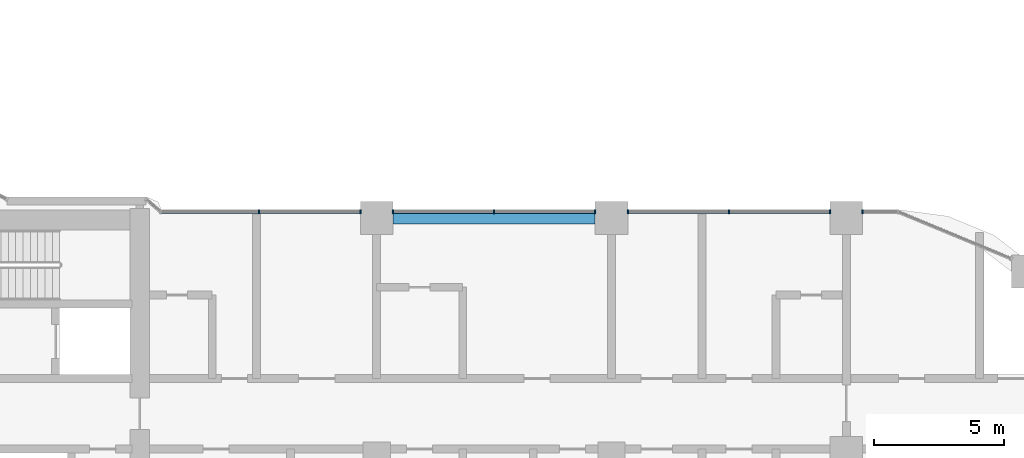
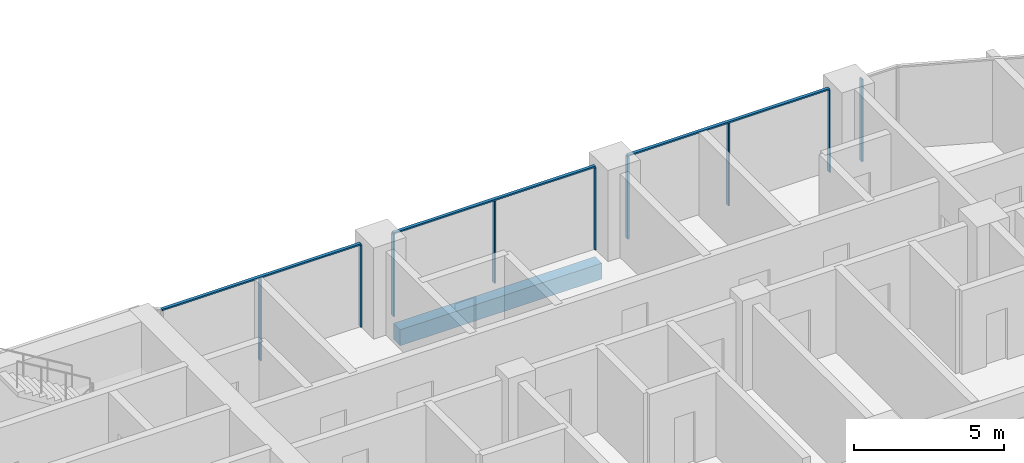
# One storey, part 4 of 33: 12 members, 1 beam, 4 elements without a shape of their own.
"""IFC4 building model written with IfcOpenShell, lengths in metres."""

from ifc_helpers import new_model, si_unit, direction, frame, origin, origin_2d, place, context, subcontext, project, spatial, rectangle, extrude, material, material_profile, profile_set, type_object, element, aggregate, save


model = new_model("IFC4")

# Units and contexts
model_context = context("Model", 3, precision=1e-05, world=origin(), true_north=direction((0.0, 1.0)))
body_context = subcontext(model_context, "Body", "Model", "MODEL_VIEW")
ifc_project = project(units=[si_unit("LENGTHUNIT", "METRE"), si_unit("AREAUNIT", "SQUARE_METRE"), si_unit("VOLUMEUNIT", "CUBIC_METRE"), si_unit("PLANEANGLEUNIT", "RADIAN"), si_unit("MASSUNIT", "GRAM", prefix="KILO")], contexts=[model_context])

# Site, building, storey
site_placement = place(None, origin())
site = spatial("IfcSite", under=ifc_project, at=site_placement, CompositionType="ELEMENT")
building_placement = place(site_placement, origin())
building = spatial("IfcBuilding", under=site, at=building_placement, Name="Ogive Portal Towers", CompositionType="ELEMENT")
storey_placement = place(building_placement, frame((0.0, 0.0, 101.89990234375)))
storey = spatial("IfcBuildingStorey", under=building, at=storey_placement, Name="L24", CompositionType="ELEMENT", Elevation=101.89990234375)

# Curtain wall, member
ifc_material_1 = material(Name="Glass, clear low-iron insulated glazing", Category="glass")
curtain_wall_type = type_object("IfcCurtainWallType", Name="CW FRONT RIBBON 4500", PredefinedType="NOTDEFINED", material=ifc_material_1)
curtain_wall_1_placement = place(storey_placement, origin())
curtain_wall_1 = element("IfcCurtainWall", 1, at=curtain_wall_1_placement, inside=storey, type_object=curtain_wall_type, Name="A:L24:f26:cw0~0", PredefinedType="NOTDEFINED")
ifc_material_2 = material(Name="Aluminium 6063 anodised", Category="aluminium")
ifc_material_profile_1 = material_profile(ifc_material_2, rectangle(XDim=0.159912109375, YDim=0.06005859375, at=origin_2d()), Name="AL 60x160")
ifc_profile_set_1 = profile_set([ifc_material_profile_1], Name="Aluminium 6063 anodised")
member_type_1 = type_object("IfcMemberType", Name="CW MULLION 60x160", PredefinedType="MULLION", material=ifc_profile_set_1)
member_1_placement = place(storey_placement, frame((86.125, 39.739990234375, 0.0), z_axis=(0.0, 0.0, 1.0), x_axis=(0.0, -1.0, 0.0)))
member_1 = element("IfcMember", 2, at=member_1_placement, type_object=member_type_1, Name="mullion", PredefinedType="MULLION", context=body_context, shape_type="SweptSolid", body=[
    extrude(rectangle(XDim=0.159912109375, YDim=0.06005859375, at=origin_2d()), origin(), (0.0, 0.0, 1.0), 3.340087890625),
])
aggregate(curtain_wall_1, [member_1])

# Curtain wall, members
curtain_wall_2_placement = place(storey_placement, origin())
curtain_wall_2 = element("IfcCurtainWall", 3, at=curtain_wall_2_placement, inside=storey, type_object=curtain_wall_type, Name="A:L24:f26:cw0~1", PredefinedType="NOTDEFINED")
member_2_placement = place(storey_placement, frame((84.875, 39.739990234375, 0.0), z_axis=(0.0, 0.0, 1.0), x_axis=(0.0, -1.0, 0.0)))
member_2 = element("IfcMember", 4, at=member_2_placement, type_object=member_type_1, Name="mullion", PredefinedType="MULLION", context=body_context, shape_type="SweptSolid", body=[
    extrude(rectangle(XDim=0.159912109375, YDim=0.06005859375, at=origin_2d()), origin(), (0.0, 0.0, 1.0), 3.340087890625),
])
member_3_placement = place(storey_placement, frame((81.0, 39.739990234375, 0.0), z_axis=(0.0, 0.0, 1.0), x_axis=(0.0, -1.0, 0.0)))
member_3 = element("IfcMember", 5, at=member_3_placement, type_object=member_type_1, Name="mullion", PredefinedType="MULLION", context=body_context, shape_type="SweptSolid", body=[
    extrude(rectangle(XDim=0.159912109375, YDim=0.06005859375, at=origin_2d()), origin(), (0.0, 0.0, 1.0), 3.340087890625),
])
member_4_placement = place(storey_placement, frame((77.125, 39.739990234375, 0.0), z_axis=(0.0, 0.0, 1.0), x_axis=(0.0, -1.0, 0.0)))
member_4 = element("IfcMember", 6, at=member_4_placement, type_object=member_type_1, Name="mullion", PredefinedType="MULLION", context=body_context, shape_type="SweptSolid", body=[
    extrude(rectangle(XDim=0.159912109375, YDim=0.06005859375, at=origin_2d()), origin(), (0.0, 0.0, 1.0), 3.340087890625),
])

curtain_wall_3_placement = place(storey_placement, origin())
curtain_wall_3 = element("IfcCurtainWall", 7, at=curtain_wall_3_placement, inside=storey, type_object=curtain_wall_type, Name="A:L24:f26:cw0~2", PredefinedType="NOTDEFINED")
member_5_placement = place(storey_placement, frame((75.875, 39.739990234375, 0.0), z_axis=(0.0, 0.0, 1.0), x_axis=(0.0, -1.0, 0.0)))
member_5 = element("IfcMember", 8, at=member_5_placement, type_object=member_type_1, Name="mullion", PredefinedType="MULLION", context=body_context, shape_type="SweptSolid", body=[
    extrude(rectangle(XDim=0.159912109375, YDim=0.06005859375, at=origin_2d()), origin(), (0.0, 0.0, 1.0), 3.340087890625),
])
member_6_placement = place(storey_placement, frame((72.0, 39.739990234375, 0.0), z_axis=(0.0, 0.0, 1.0), x_axis=(0.0, -1.0, 0.0)))
member_6 = element("IfcMember", 9, at=member_6_placement, type_object=member_type_1, Name="mullion", PredefinedType="MULLION", context=body_context, shape_type="SweptSolid", body=[
    extrude(rectangle(XDim=0.159912109375, YDim=0.06005859375, at=origin_2d()), origin(), (0.0, 0.0, 1.0), 3.340087890625),
])
member_7_placement = place(storey_placement, frame((68.125, 39.739990234375, 0.0), z_axis=(0.0, 0.0, 1.0), x_axis=(0.0, -1.0, 0.0)))
member_7 = element("IfcMember", 10, at=member_7_placement, type_object=member_type_1, Name="mullion", PredefinedType="MULLION", context=body_context, shape_type="SweptSolid", body=[
    extrude(rectangle(XDim=0.159912109375, YDim=0.06005859375, at=origin_2d()), origin(), (0.0, 0.0, 1.0), 3.340087890625),
])

curtain_wall_4_placement = place(storey_placement, origin())
curtain_wall_4 = element("IfcCurtainWall", 11, at=curtain_wall_4_placement, inside=storey, type_object=curtain_wall_type, Name="A:L24:f26:cw0~3", PredefinedType="NOTDEFINED")
member_8_placement = place(storey_placement, frame((66.875, 39.739990234375, 0.0), z_axis=(0.0, 0.0, 1.0), x_axis=(0.0, -1.0, 0.0)))
member_8 = element("IfcMember", 12, at=member_8_placement, type_object=member_type_1, Name="mullion", PredefinedType="MULLION", context=body_context, shape_type="SweptSolid", body=[
    extrude(rectangle(XDim=0.159912109375, YDim=0.06005859375, at=origin_2d()), origin(), (0.0, 0.0, 1.0), 3.340087890625),
])
member_9_placement = place(storey_placement, frame((63.0, 39.739990234375, 0.0), z_axis=(0.0, 0.0, 1.0), x_axis=(0.0, -1.0, 0.0)))
member_9 = element("IfcMember", 13, at=member_9_placement, type_object=member_type_1, Name="mullion", PredefinedType="MULLION", context=body_context, shape_type="SweptSolid", body=[
    extrude(rectangle(XDim=0.159912109375, YDim=0.06005859375, at=origin_2d()), origin(), (0.0, 0.0, 1.0), 3.340087890625),
])

# Member
ifc_material_profile_2 = material_profile(ifc_material_2, rectangle(XDim=0.1201171875, YDim=0.06005859375, at=origin_2d()), Name="AL 120x60")
ifc_profile_set_2 = profile_set([ifc_material_profile_2], Name="Aluminium 6063 anodised")
member_type_2 = type_object("IfcMemberType", Name="CW TRANSOM 60x120", PredefinedType="USERDEFINED", material=ifc_profile_set_2)
member_10_placement = place(storey_placement, frame((84.875, 39.739990234375, 3.3701171875), z_axis=(-1.0, 0.0, 0.0), x_axis=(0.0, -1.0, 0.0)))
member_10 = element("IfcMember", 14, at=member_10_placement, type_object=member_type_2, Name="transom", ObjectType="TRANSOM", PredefinedType="USERDEFINED", context=body_context, shape_type="SweptSolid", body=[
    extrude(rectangle(XDim=0.1201171875, YDim=0.06005859375, at=origin_2d()), origin(), (0.0, 0.0, 1.0), 7.75),
])

aggregate(curtain_wall_2, [member_10, member_2, member_3, member_4])

member_11_placement = place(storey_placement, frame((75.875, 39.739990234375, 3.3701171875), z_axis=(-1.0, 0.0, 0.0), x_axis=(0.0, -1.0, 0.0)))
member_11 = element("IfcMember", 15, at=member_11_placement, type_object=member_type_2, Name="transom", ObjectType="TRANSOM", PredefinedType="USERDEFINED", context=body_context, shape_type="SweptSolid", body=[
    extrude(rectangle(XDim=0.1201171875, YDim=0.06005859375, at=origin_2d()), origin(), (0.0, 0.0, 1.0), 7.75),
])

aggregate(curtain_wall_3, [member_11, member_5, member_6, member_7])

member_12_placement = place(storey_placement, frame((66.875, 39.739990234375, 3.3701171875), z_axis=(-1.0, 0.0, 0.0), x_axis=(0.0, -1.0, 0.0)))
member_12 = element("IfcMember", 16, at=member_12_placement, type_object=member_type_2, Name="transom", ObjectType="TRANSOM", PredefinedType="USERDEFINED", context=body_context, shape_type="SweptSolid", body=[
    extrude(rectangle(XDim=0.1201171875, YDim=0.06005859375, at=origin_2d()), origin(), (0.0, 0.0, 1.0), 7.65478515625),
])

aggregate(curtain_wall_4, [member_12, member_8, member_9])

# Beam
ifc_material_3 = material(Name="Concrete C50/60", Category="concrete")
ifc_material_profile_3 = material_profile(ifc_material_3, rectangle(XDim=0.449951171875, YDim=0.64990234375, at=origin_2d()), Name="RC 450x650")
ifc_profile_set_3 = profile_set([ifc_material_profile_3], Name="Concrete C50/60")
beam_type = type_object("IfcBeamType", Name="SPANDREL BEAM RC 450x650", PredefinedType="BEAM", material=ifc_profile_set_3)
beam_placement = place(storey_placement, frame((68.125, 39.5, -0.625), z_axis=(1.0, 0.0, 0.0), x_axis=(0.0, 1.0, 0.0)))
element("IfcBeam", 17, at=beam_placement, inside=storey, type_object=beam_type, Name="Spandrel beam L24", PredefinedType="BEAM", context=body_context, shape_type="SweptSolid", body=[
    extrude(rectangle(XDim=0.449951171875, YDim=0.64990234375, at=origin_2d()), origin(), (0.0, 0.0, 1.0), 7.75),
])

save(model, "model.ifc")
